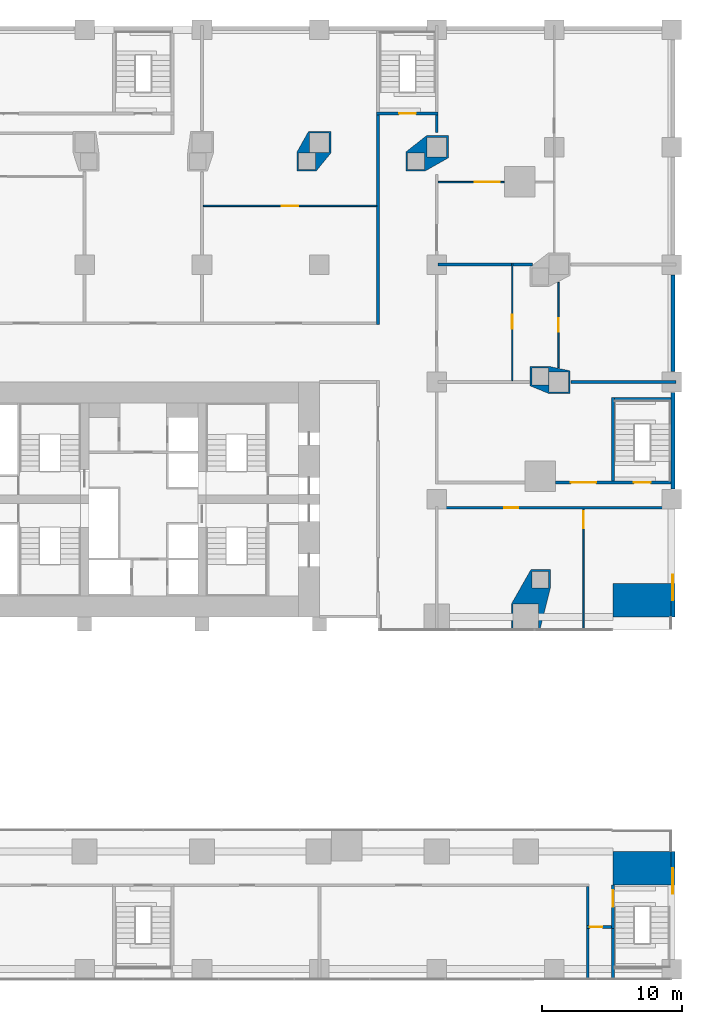
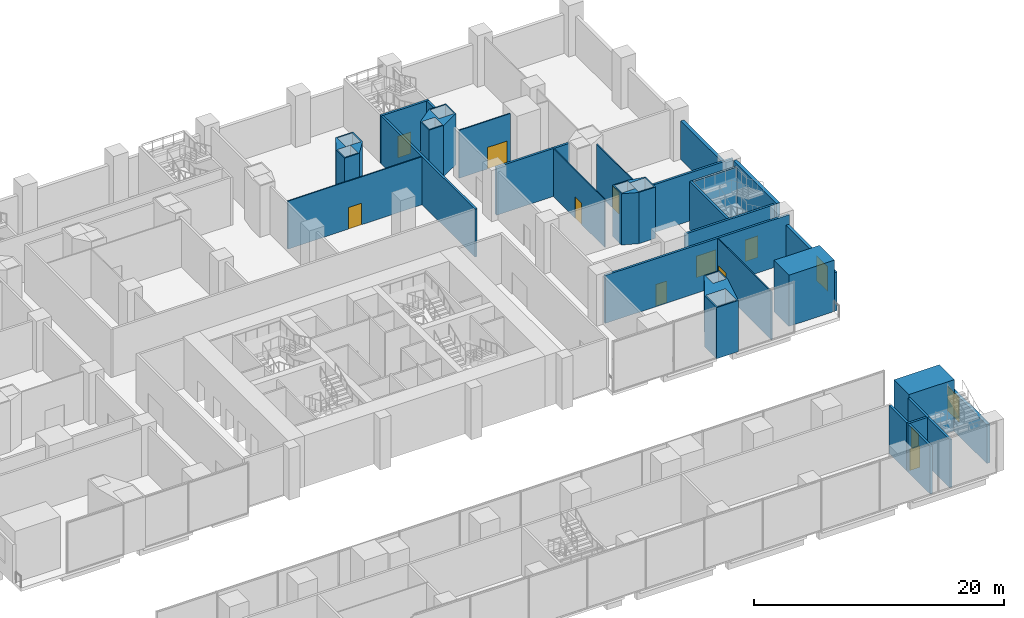
# One storey, part 15 of 24: 29 walls, 11 doors, 2 windows, 13 openings.
"""IFC4 building model written with IfcOpenShell, lengths in metres."""

from ifc_helpers import new_model, si_unit, direction, frame, frame_2d, origin, place, context, subcontext, project, spatial, polyline, rectangle, outline, extrude, material, layer, layer_set, type_object, element, fill, save


model = new_model("IFC4")

# Units and contexts
model_context = context("Model", 3, precision=1e-05, world=origin(), true_north=direction((0.0, 1.0)))
body_context = subcontext(model_context, "Body", "Model", "MODEL_VIEW")
ifc_project = project(units=[si_unit("LENGTHUNIT", "METRE"), si_unit("AREAUNIT", "SQUARE_METRE"), si_unit("VOLUMEUNIT", "CUBIC_METRE"), si_unit("PLANEANGLEUNIT", "RADIAN"), si_unit("MASSUNIT", "GRAM", prefix="KILO")], contexts=[model_context])

# Site, building, storey
site_placement = place(None, origin())
site = spatial("IfcSite", under=ifc_project, at=site_placement, CompositionType="ELEMENT")
building_placement = place(site_placement, origin())
building = spatial("IfcBuilding", under=site, at=building_placement, Name="Marenta Gate Hotel Tower", CompositionType="ELEMENT")
storey_placement = place(building_placement, frame((0.0, 0.0, 8.0)))
storey = spatial("IfcBuildingStorey", under=building, at=storey_placement, Name="L01", CompositionType="ELEMENT", Elevation=8.0)

# Wall, opening, window
ifc_material_1 = material(Name="Concrete C40 board-marked", Category="concrete")
ifc_layer_1 = layer(ifc_material_1, 0.300048828125)
ifc_layer_set_1 = layer_set([ifc_layer_1], Name="Concrete C40 board-marked")
wall_type_1 = type_object("IfcWallType", Name="Board-marked concrete wall 300 mm", PredefinedType="NOTDEFINED", material=ifc_layer_set_1)
wall_1_placement = place(storey_placement, frame((37.889892578125, -24.4599609375, 0.0), z_axis=(0.0, 0.0, 1.0), x_axis=(0.0, 1.0, 0.0)))
wall_1 = element("IfcWall", 1, at=wall_1_placement, inside=storey, type_object=wall_type_1, Name="L01-CLD-SB-E000", PredefinedType="NOTDEFINED", context=body_context, shape_type="SweptSolid", body=[
    extrude(rectangle(XDim=7.659912109375, YDim=0.300048828125, at=frame_2d((3.830078125, 0.0))), origin(), (0.0, 0.0, 1.0), 3.780029296875),
])
opening_1_placement = place(wall_1_placement, frame((4.659912109375, 0.0, 1.199951171875)))
opening_1 = element("IfcOpeningElement", 2, at=opening_1_placement, cuts=wall_1, Name="Opening W5", PredefinedType="OPENING", context=body_context, shape_type="SweptSolid", body=[
    extrude(rectangle(XDim=1.800048828125, YDim=2.39990234375, at=frame_2d((0.89990234375, 1.199951171875))), frame((0.0, 0.14990234375, 0.0), z_axis=(0.0, -1.0, 0.0), x_axis=(1.0, 0.0, 0.0)), (0.0, 0.0, 1.0), 0.300048828125),
])
ifc_material_2 = material(Name="Tinted insulated glass in bronze anodised frame", Category="glass")
window_type = type_object("IfcWindowType", Name="Window W5 1800x2400 bronze frame", PartitioningType="SINGLE_PANEL", PredefinedType="WINDOW", material=ifc_material_2)
window_1_placement = place(opening_1_placement, origin())
window_1 = element("IfcWindow", 3, at=window_1_placement, inside=storey, type_object=window_type, Name="Window W5", OverallHeight=2.39990234375, OverallWidth=1.800048828125, PartitioningType="SINGLE_PANEL", PredefinedType="WINDOW", context=body_context, shape_type="SweptSolid", body=[
    extrude(rectangle(XDim=1.800048828125, YDim=2.39990234375, at=frame_2d((0.89990234375, 1.199951171875))), frame((0.0, 0.030029296875, 0.0), z_axis=(0.0, -1.0, 0.0), x_axis=(1.0, 0.0, 0.0)), (0.0, 0.0, 1.0), 0.06005859375),
])
fill(opening_1, window_1)

wall_2_placement = place(storey_placement, frame((37.889892578125, 0.0, 0.0), z_axis=(0.0, 0.0, 1.0), x_axis=(0.0, 1.0, 0.0)))
wall_2 = element("IfcWall", 4, at=wall_2_placement, inside=storey, type_object=wall_type_1, Name="L01-CLD-NB-E000", PredefinedType="NOTDEFINED", context=body_context, shape_type="SweptSolid", body=[
    extrude(rectangle(XDim=7.659912109375, YDim=0.300048828125, at=frame_2d((3.830078125, 0.0))), origin(), (0.0, 0.0, 1.0), 3.780029296875),
])
opening_2_placement = place(wall_2_placement, frame((1.199951171875, 0.0, 1.199951171875)))
opening_2 = element("IfcOpeningElement", 5, at=opening_2_placement, cuts=wall_2, Name="Opening W5", PredefinedType="OPENING", context=body_context, shape_type="SweptSolid", body=[
    extrude(rectangle(XDim=1.800048828125, YDim=2.39990234375, at=frame_2d((0.89990234375, 1.199951171875))), frame((0.0, 0.14990234375, 0.0), z_axis=(0.0, -1.0, 0.0), x_axis=(1.0, 0.0, 0.0)), (0.0, 0.0, 1.0), 0.300048828125),
])
window_2_placement = place(opening_2_placement, origin())
window_2 = element("IfcWindow", 6, at=window_2_placement, inside=storey, type_object=window_type, Name="Window W5", OverallHeight=2.39990234375, OverallWidth=1.800048828125, PartitioningType="SINGLE_PANEL", PredefinedType="WINDOW", context=body_context, shape_type="SweptSolid", body=[
    extrude(rectangle(XDim=1.800048828125, YDim=2.39990234375, at=frame_2d((0.89990234375, 1.199951171875))), frame((0.0, 0.030029296875, 0.0), z_axis=(0.0, -1.0, 0.0), x_axis=(1.0, 0.0, 0.0)), (0.0, 0.0, 1.0), 0.06005859375),
])
fill(opening_2, window_2)

# Walls
wall_3_placement = place(storey_placement, frame((37.889892578125, 9.139892578125, 0.0), z_axis=(0.0, 0.0, 1.0), x_axis=(0.0, 1.0, 0.0)))
element("IfcWall", 7, at=wall_3_placement, inside=storey, type_object=wall_type_1, Name="L01-CLD-NB-E001", PredefinedType="NOTDEFINED", context=body_context, shape_type="SweptSolid", body=[
    extrude(rectangle(XDim=6.920166015625, YDim=0.300048828125, at=frame_2d((3.4599609375, 0.0))), origin(), (0.0, 0.0, 1.0), 5.0),
])
wall_4_placement = place(storey_placement, frame((37.889892578125, 17.5400390625, 0.0), z_axis=(0.0, 0.0, 1.0), x_axis=(0.0, 1.0, 0.0)))
element("IfcWall", 8, at=wall_4_placement, inside=storey, type_object=wall_type_1, Name="L01-CLD-NB-E002", PredefinedType="NOTDEFINED", context=body_context, shape_type="SweptSolid", body=[
    extrude(rectangle(XDim=6.919921875, YDim=0.300048828125, at=frame_2d((3.4599609375, 0.0))), origin(), (0.0, 0.0, 1.0), 3.780029296875),
])
ifc_material_3 = material(Name="Concrete C80", Category="concrete")
ifc_layer_2 = layer(ifc_material_3, 2.39990234375)
ifc_layer_set_2 = layer_set([ifc_layer_2], Name="Concrete C80")
wall_type_2 = type_object("IfcWallType", Name="Gate pier wall 2400 C80", PredefinedType="SOLIDWALL", material=ifc_layer_set_2)
for number, where, z_axis, x_axis, name in (
    (9, (33.60009765625, -18.0, 0.0), (0.0, 0.0, 1.0), (1.0, 0.0, 0.0), "PW1 L01-PWL-ES"),
    (10, (33.60009765625, 1.199951171875, 0.0), (0.0, 0.0, 1.0), (1.0, 0.0, 0.0), "PW1 L01-PWL-EN"),
):
    element("IfcWall", number, at=place(storey_placement, frame(where, z_axis=z_axis, x_axis=x_axis)), inside=storey, type_object=wall_type_2, Name=name, PredefinedType="SOLIDWALL", context=body_context, shape_type="SweptSolid", body=[
        extrude(rectangle(XDim=4.199951171875, YDim=2.39990234375, at=frame_2d((2.10009765625, 0.0))), origin(), (0.0, 0.0, 1.0), 5.0),
    ])
ifc_material_4 = material(Name="Concrete C70", Category="concrete")
ifc_layer_3 = layer(ifc_material_4, 1.60009765625)
ifc_layer_set_3 = layer_set([ifc_layer_3], Name="Concrete C70")
wall_type_3 = type_object("IfcWallType", Name="Pier wall board-marked concrete C70", PredefinedType="SOLIDWALL", material=ifc_layer_set_3)
wall_5_placement = place(storey_placement, origin())
element("IfcWall", 11, at=wall_5_placement, inside=storey, type_object=wall_type_3, Name="L01-PIER-8", PredefinedType="SOLIDWALL", context=body_context, shape_type="SweptSolid", body=[
    extrude(outline(polyline([(11.82958984375, 34.739990234375), (13.419921875, 34.739990234375), (13.419921875, 33.17724609375), (12.361083984375, 31.8798828125), (10.984130859375, 31.8798828125), (10.984130859375, 33.2314453125), (11.82958984375, 34.739990234375)]), holes=[polyline([(13.300048828125, 33.219970703125), (13.300048828125, 34.6201171875), (11.89990234375, 34.6201171875), (11.89990234375, 33.219970703125), (13.300048828125, 33.219970703125)]), polyline([(12.30419921875, 32.0), (12.30419921875, 33.199951171875), (11.10400390625, 33.199951171875), (11.10400390625, 32.0), (12.30419921875, 32.0)])]), origin(), (0.0, 0.0, 1.0), 5.0),
])
wall_6_placement = place(storey_placement, origin())
element("IfcWall", 12, at=wall_6_placement, inside=storey, type_object=wall_type_3, Name="L01-PIER-9", PredefinedType="SOLIDWALL", context=body_context, shape_type="SweptSolid", body=[
    extrude(outline(polyline([(20.25830078125, 34.419921875), (21.820068359375, 34.419921875), (21.820068359375, 32.830078125), (20.138427734375, 31.8798828125), (18.786865234375, 31.8798828125), (18.786865234375, 33.258056640625), (20.25830078125, 34.419921875)]), holes=[polyline([(21.699951171875, 32.89990234375), (21.699951171875, 34.300048828125), (20.300048828125, 34.300048828125), (20.300048828125, 32.89990234375), (21.699951171875, 32.89990234375)]), polyline([(20.10693359375, 32.0), (20.10693359375, 33.199951171875), (18.906982421875, 33.199951171875), (18.906982421875, 32.0), (20.10693359375, 32.0)])]), origin(), (0.0, 0.0, 1.0), 5.0),
])
wall_7_placement = place(storey_placement, origin())
element("IfcWall", 13, at=wall_7_placement, inside=storey, type_object=wall_type_3, Name="L01-PIER-11", PredefinedType="SOLIDWALL", context=body_context, shape_type="SweptSolid", body=[
    extrude(outline(polyline([(27.679931640625, 16.52294921875), (27.679931640625, 17.923095703125), (29.0126953125, 17.923095703125), (30.5400390625, 17.59716796875), (30.5400390625, 15.97998046875), (28.996337890625, 15.97998046875), (27.679931640625, 16.52294921875)]), holes=[polyline([(29.02001953125, 16.10009765625), (30.419921875, 16.10009765625), (30.419921875, 17.5), (29.02001953125, 17.5), (29.02001953125, 16.10009765625)]), polyline([(27.800048828125, 16.603271484375), (29.0, 16.603271484375), (29.0, 17.80322265625), (27.800048828125, 17.80322265625), (27.800048828125, 16.603271484375)])]), origin(), (0.0, 0.0, 1.0), 5.0),
])
wall_8_placement = place(storey_placement, origin())
element("IfcWall", 14, at=wall_8_placement, inside=storey, type_object=wall_type_3, Name="L01-PIER-12", PredefinedType="SOLIDWALL", context=body_context, shape_type="SweptSolid", body=[
    extrude(outline(polyline([(26.343017578125, 0.931640625), (27.730224609375, 3.369140625), (29.1201171875, 3.369140625), (29.1201171875, 2.034423828125), (28.356689453125, -1.02001953125), (26.343017578125, -1.02001953125), (26.343017578125, 0.931640625)]), holes=[polyline([(27.800048828125, 2.049072265625), (29.0, 2.049072265625), (29.0, 3.2490234375), (27.800048828125, 3.2490234375), (27.800048828125, 2.049072265625)]), polyline([(26.462890625, -0.89990234375), (28.262939453125, -0.89990234375), (28.262939453125, 0.89990234375), (26.462890625, 0.89990234375), (26.462890625, -0.89990234375)])]), origin(), (0.0, 0.0, 1.0), 5.0),
])
ifc_material_5 = material(Name="Concrete blockwork", Category="masonry")
ifc_layer_4 = layer(ifc_material_5, 0.199951171875)
ifc_layer_set_4 = layer_set([ifc_layer_4], Name="Concrete blockwork")
wall_type_4 = type_object("IfcWallType", Name="Room corridor wall 200 EI 120", PredefinedType="PARTITIONING", material=ifc_layer_set_4)
wall_9_placement = place(storey_placement, frame((16.800048828125, 20.89990234375, 0.0), z_axis=(0.0, 0.0, 1.0), x_axis=(0.0, 1.0, 0.0)))
element("IfcWall", 15, at=wall_9_placement, inside=storey, type_object=wall_type_4, Name="L01-PTN-W020", PredefinedType="PARTITIONING", context=body_context, shape_type="SweptSolid", body=[
    extrude(rectangle(XDim=15.0, YDim=0.199951171875, at=frame_2d((7.5, 0.0))), origin(), (0.0, 0.0, 1.0), 4.679931640625),
])
ifc_material_6 = material(Name="Gypsum board on steel stud", Category="steel")
ifc_layer_5 = layer(ifc_material_6, 0.199951171875)
ifc_layer_set_5 = layer_set([ifc_layer_5], Name="Gypsum board on steel stud")
wall_type_5 = type_object("IfcWallType", Name="Room corridor wall 200 EI 60", PredefinedType="PARTITIONING", material=ifc_layer_set_5)
wall_10_placement = place(storey_placement, frame((21.0, 34.66796875, 0.0), z_axis=(0.0, 0.0, 1.0), x_axis=(0.0, 1.0, 0.0)))
element("IfcWall", 16, at=wall_10_placement, inside=storey, type_object=wall_type_5, Name="L01-PTN-W015", PredefinedType="PARTITIONING", context=body_context, shape_type="SweptSolid", body=[
    extrude(rectangle(XDim=1.23193359375, YDim=0.199951171875, at=frame_2d((0.615966796875, 0.0))), origin(), (0.0, 0.0, 1.0), 4.679931640625),
])

# Wall, opening, door
ifc_material_7 = material(Name="Concrete blockwork", Category="masonry")
ifc_layer_6 = layer(ifc_material_7, 0.199951171875)
ifc_layer_set_6 = layer_set([ifc_layer_6], Name="Concrete blockwork")
wall_type_6 = type_object("IfcWallType", Name="Room corridor wall 200 REI 180", PredefinedType="PARTITIONING", material=ifc_layer_set_6)
wall_11_placement = place(storey_placement, frame((33.60009765625, -22.300048828125, 0.0), z_axis=(0.0, 0.0, 1.0), x_axis=(0.0, 1.0, 0.0)))
wall_11 = element("IfcWall", 17, at=wall_11_placement, inside=storey, type_object=wall_type_6, Name="L01-PTN-W003", PredefinedType="PARTITIONING", context=body_context, shape_type="SweptSolid", body=[
    extrude(rectangle(XDim=3.10009765625, YDim=0.199951171875, at=frame_2d((1.550048828125, 0.0))), origin(), (0.0, 0.0, 1.0), 4.679931640625),
])
opening_3_placement = place(wall_11_placement, frame((1.550048828125, 0.0, 0.0)))
opening_3 = element("IfcOpeningElement", 18, at=opening_3_placement, cuts=wall_11, Name="Opening S02-27", PredefinedType="OPENING", context=body_context, shape_type="SweptSolid", body=[
    extrude(rectangle(XDim=1.199951171875, YDim=2.10009765625, at=frame_2d((0.60009765625, 1.050048828125))), frame((0.0, 0.10009765625, 0.0), z_axis=(0.0, -1.0, 0.0), x_axis=(1.0, 0.0, 0.0)), (0.0, 0.0, 1.0), 0.199951171875),
])
ifc_material_8 = material(Name="Hollow steel door set", Category="steel")
door_type_1 = type_object("IfcDoorType", Name="Podium stair door 1200x2100 EI 60", OperationType="NOTDEFINED", PredefinedType="DOOR", material=ifc_material_8)
door_1_placement = place(opening_3_placement, origin())
door_1 = element("IfcDoor", 19, at=door_1_placement, inside=storey, type_object=door_type_1, Name="L01-PD-D027", OperationType="SINGLE_SWING_LEFT", OverallHeight=2.10009765625, OverallWidth=1.199951171875, PredefinedType="DOOR", context=body_context, shape_type="SweptSolid", body=[
    extrude(rectangle(XDim=1.199951171875, YDim=2.10009765625, at=frame_2d((0.60009765625, 1.050048828125))), frame((0.0, 0.02490234375, 0.0), z_axis=(0.0, -1.0, 0.0), x_axis=(1.0, 0.0, 0.0)), (0.0, 0.0, 1.0), 0.050048828125),
])
fill(opening_3, door_1)

# Wall
wall_12_placement = place(storey_placement, frame((31.800048828125, -22.10009765625, 0.0), z_axis=(0.0, 0.0, 1.0), x_axis=(0.0, 1.0, 0.0)))
element("IfcWall", 20, at=wall_12_placement, inside=storey, type_object=wall_type_6, Name="L01-PTN-W005", PredefinedType="PARTITIONING", context=body_context, shape_type="SweptSolid", body=[
    extrude(rectangle(XDim=2.800048828125, YDim=0.199951171875, at=frame_2d((1.39990234375, 0.0))), origin(), (0.0, 0.0, 1.0), 4.679931640625),
])

# Wall, opening, door
wall_13_placement = place(storey_placement, frame((31.699951171875, -22.199951171875, 0.0), z_axis=(0.0, 0.0, 1.0), x_axis=(1.0, 0.0, 0.0)))
wall_13 = element("IfcWall", 21, at=wall_13_placement, inside=storey, type_object=wall_type_6, Name="L01-PTN-W011", PredefinedType="PARTITIONING", context=body_context, shape_type="SweptSolid", body=[
    extrude(rectangle(XDim=1.800048828125, YDim=0.199951171875, at=frame_2d((0.89990234375, 0.0))), origin(), (0.0, 0.0, 1.0), 4.679931640625),
])
opening_4_placement = place(wall_13_placement, frame((0.25, 0.0, 0.0)))
opening_4 = element("IfcOpeningElement", 22, at=opening_4_placement, cuts=wall_13, Name="Opening S02-28", PredefinedType="OPENING", context=body_context, shape_type="SweptSolid", body=[
    extrude(rectangle(XDim=0.89990234375, YDim=2.10009765625, at=frame_2d((0.449951171875, 1.050048828125))), frame((0.0, 0.10009765625, 0.0), z_axis=(0.0, -1.0, 0.0), x_axis=(1.0, 0.0, 0.0)), (0.0, 0.0, 1.0), 0.199951171875),
])
ifc_material_9 = material(Name="Hollow steel door set", Category="steel")
door_type_2 = type_object("IfcDoorType", Name="Room service door 900x2100 EI 60", OperationType="NOTDEFINED", PredefinedType="DOOR", material=ifc_material_9)
door_2_placement = place(opening_4_placement, origin())
door_2 = element("IfcDoor", 23, at=door_2_placement, inside=storey, type_object=door_type_2, Name="L01-PD-D028", OperationType="SINGLE_SWING_RIGHT", OverallHeight=2.10009765625, OverallWidth=0.89990234375, PredefinedType="DOOR", context=body_context, shape_type="SweptSolid", body=[
    extrude(rectangle(XDim=0.89990234375, YDim=2.10009765625, at=frame_2d((0.449951171875, 1.050048828125))), frame((0.0, 0.02490234375, 0.0), z_axis=(0.0, -1.0, 0.0), x_axis=(1.0, 0.0, 0.0)), (0.0, 0.0, 1.0), 0.050048828125),
])
fill(opening_4, door_2)

wall_14_placement = place(storey_placement, frame((21.10009765625, 7.800048828125, 0.0), z_axis=(0.0, 0.0, 1.0), x_axis=(1.0, 0.0, 0.0)))
wall_14 = element("IfcWall", 24, at=wall_14_placement, inside=storey, type_object=wall_type_6, Name="L01-PTN-W032", PredefinedType="PARTITIONING", context=body_context, shape_type="SweptSolid", body=[
    extrude(rectangle(XDim=17.0, YDim=0.199951171875, at=frame_2d((8.5, 0.0))), origin(), (0.0, 0.0, 1.0), 4.679931640625),
])
opening_5_placement = place(wall_14_placement, frame((4.72509765625, 0.0, 0.0)))
opening_5 = element("IfcOpeningElement", 25, at=opening_5_placement, cuts=wall_14, Name="Opening S02-09", PredefinedType="OPENING", context=body_context, shape_type="SweptSolid", body=[
    extrude(rectangle(XDim=1.0, YDim=2.10009765625, at=frame_2d((0.5, 1.050048828125))), frame((0.0, 0.10009765625, 0.0), z_axis=(0.0, -1.0, 0.0), x_axis=(1.0, 0.0, 0.0)), (0.0, 0.0, 1.0), 0.199951171875),
])
ifc_material_10 = material(Name="Timber door leaf", Category="wood")
door_type_3 = type_object("IfcDoorType", Name="Room amenity door 1000x2100 EI 60", OperationType="NOTDEFINED", PredefinedType="DOOR", material=ifc_material_10)
door_3_placement = place(opening_5_placement, origin())
door_3 = element("IfcDoor", 26, at=door_3_placement, inside=storey, type_object=door_type_3, Name="L01-PD-D009", OperationType="SINGLE_SWING_RIGHT", OverallHeight=2.10009765625, OverallWidth=1.0, PredefinedType="DOOR", context=body_context, shape_type="SweptSolid", body=[
    extrude(rectangle(XDim=1.0, YDim=2.10009765625, at=frame_2d((0.5, 1.050048828125))), frame((0.0, 0.02490234375, 0.0), z_axis=(0.0, -1.0, 0.0), x_axis=(1.0, 0.0, 0.0)), (0.0, 0.0, 1.0), 0.050048828125),
])
fill(opening_5, door_3)

# Wall, openings, doors
wall_15_placement = place(storey_placement, frame((29.5, 9.60009765625, 0.0), z_axis=(0.0, 0.0, 1.0), x_axis=(1.0, 0.0, 0.0)))
wall_15 = element("IfcWall", 27, at=wall_15_placement, inside=storey, type_object=wall_type_6, Name="L01-PTN-W036", PredefinedType="PARTITIONING", context=body_context, shape_type="SweptSolid", body=[
    extrude(rectangle(XDim=8.239990234375, YDim=0.199951171875, at=frame_2d((4.1201171875, 0.0))), origin(), (0.0, 0.0, 1.0), 4.679931640625),
])
opening_6_placement = place(wall_15_placement, frame((1.10009765625, 0.0, 0.0)))
opening_6 = element("IfcOpeningElement", 28, at=opening_6_placement, cuts=wall_15, Name="Opening S02-10", PredefinedType="OPENING", context=body_context, shape_type="SweptSolid", body=[
    extrude(rectangle(XDim=1.800048828125, YDim=2.10009765625, at=frame_2d((0.89990234375, 1.050048828125))), frame((0.0, 0.10009765625, 0.0), z_axis=(0.0, -1.0, 0.0), x_axis=(1.0, 0.0, 0.0)), (0.0, 0.0, 1.0), 0.199951171875),
])
opening_7_placement = place(wall_15_placement, frame((5.60009765625, 0.0, 0.0)))
opening_7 = element("IfcOpeningElement", 29, at=opening_7_placement, cuts=wall_15, Name="Opening S02-37", PredefinedType="OPENING", context=body_context, shape_type="SweptSolid", body=[
    extrude(rectangle(XDim=1.199951171875, YDim=2.10009765625, at=frame_2d((0.60009765625, 1.050048828125))), frame((0.0, 0.10009765625, 0.0), z_axis=(0.0, -1.0, 0.0), x_axis=(1.0, 0.0, 0.0)), (0.0, 0.0, 1.0), 0.199951171875),
])
door_4_placement = place(opening_7_placement, origin())
door_4 = element("IfcDoor", 30, at=door_4_placement, inside=storey, type_object=door_type_1, Name="L01-PD-D037", OperationType="SINGLE_SWING_LEFT", OverallHeight=2.10009765625, OverallWidth=1.199951171875, PredefinedType="DOOR", context=body_context, shape_type="SweptSolid", body=[
    extrude(rectangle(XDim=1.199951171875, YDim=2.10009765625, at=frame_2d((0.60009765625, 1.050048828125))), frame((0.0, 0.02490234375, 0.0), z_axis=(0.0, -1.0, 0.0), x_axis=(1.0, 0.0, 0.0)), (0.0, 0.0, 1.0), 0.050048828125),
])
fill(opening_7, door_4)
ifc_material_11 = material(Name="Timber door leaf", Category="wood")
door_type_4 = type_object("IfcDoorType", Name="Room amenity door 1800x2100 EI 60", OperationType="DOUBLE_DOOR_SINGLE_SWING", PredefinedType="DOOR", material=ifc_material_11)
door_5_placement = place(opening_6_placement, origin())
door_5 = element("IfcDoor", 31, at=door_5_placement, inside=storey, type_object=door_type_4, Name="L01-PD-D010", OperationType="DOUBLE_DOOR_SINGLE_SWING", OverallHeight=2.10009765625, OverallWidth=1.800048828125, PredefinedType="DOOR", context=body_context, shape_type="SweptSolid", body=[
    extrude(rectangle(XDim=1.800048828125, YDim=2.10009765625, at=frame_2d((0.89990234375, 1.050048828125))), frame((0.0, 0.02490234375, 0.0), z_axis=(0.0, -1.0, 0.0), x_axis=(1.0, 0.0, 0.0)), (0.0, 0.0, 1.0), 0.050048828125),
])
fill(opening_6, door_5)

# Wall, opening, door
wall_16_placement = place(storey_placement, frame((16.699951171875, 36.0, 0.0), z_axis=(0.0, 0.0, 1.0), x_axis=(1.0, 0.0, 0.0)))
wall_16 = element("IfcWall", 32, at=wall_16_placement, inside=storey, type_object=wall_type_6, Name="L01-PTN-W075", PredefinedType="PARTITIONING", context=body_context, shape_type="SweptSolid", body=[
    extrude(rectangle(XDim=4.400146484375, YDim=0.199951171875, at=frame_2d((2.2001953125, 0.0))), origin(), (0.0, 0.0, 1.0), 4.679931640625),
])
opening_8_placement = place(wall_16_placement, frame((1.60009765625, 0.0, 0.0)))
opening_8 = element("IfcOpeningElement", 33, at=opening_8_placement, cuts=wall_16, Name="Opening S02-02", PredefinedType="OPENING", context=body_context, shape_type="SweptSolid", body=[
    extrude(rectangle(XDim=1.199951171875, YDim=2.10009765625, at=frame_2d((0.60009765625, 1.050048828125))), frame((0.0, 0.10009765625, 0.0), z_axis=(0.0, -1.0, 0.0), x_axis=(1.0, 0.0, 0.0)), (0.0, 0.0, 1.0), 0.199951171875),
])
door_6_placement = place(opening_8_placement, origin())
door_6 = element("IfcDoor", 34, at=door_6_placement, inside=storey, type_object=door_type_1, Name="L01-PD-D002", OperationType="SINGLE_SWING_LEFT", OverallHeight=2.10009765625, OverallWidth=1.199951171875, PredefinedType="DOOR", context=body_context, shape_type="SweptSolid", body=[
    extrude(rectangle(XDim=1.199951171875, YDim=2.10009765625, at=frame_2d((0.60009765625, 1.050048828125))), frame((0.0, 0.02490234375, 0.0), z_axis=(0.0, -1.0, 0.0), x_axis=(1.0, 0.0, 0.0)), (0.0, 0.0, 1.0), 0.050048828125),
])
fill(opening_8, door_6)

ifc_material_12 = material(Name="Gypsum board on steel stud", Category="steel")
ifc_layer_7 = layer(ifc_material_12, 0.10009765625)
ifc_layer_set_7 = layer_set([ifc_layer_7], Name="Gypsum board on steel stud")
wall_type_7 = type_object("IfcWallType", Name="Room partition 100", PredefinedType="PARTITIONING", material=ifc_layer_set_7)
wall_17_placement = place(storey_placement, frame((31.5, -0.89404296875, 0.0), z_axis=(0.0, 0.0, 1.0), x_axis=(0.0, 1.0, 0.0)))
wall_17 = element("IfcWall", 35, at=wall_17_placement, inside=storey, type_object=wall_type_7, Name="L01-PTN-W006", PredefinedType="PARTITIONING", context=body_context, shape_type="SweptSolid", body=[
    extrude(rectangle(XDim=8.593994140625, YDim=0.10009765625, at=frame_2d((4.296875, 0.0))), origin(), (0.0, 0.0, 1.0), 4.679931640625),
])
opening_9_placement = place(wall_17_placement, frame((7.243896484375, 0.0, 0.0)))
opening_9 = element("IfcOpeningElement", 36, at=opening_9_placement, cuts=wall_17, Name="Opening S02-11", PredefinedType="OPENING", context=body_context, shape_type="SweptSolid", body=[
    extrude(rectangle(XDim=1.199951171875, YDim=2.10009765625, at=frame_2d((0.60009765625, 1.050048828125))), frame((0.0, 0.050048828125, 0.0), z_axis=(0.0, -1.0, 0.0), x_axis=(1.0, 0.0, 0.0)), (0.0, 0.0, 1.0), 0.10009765625),
])
ifc_material_13 = material(Name="Hollow steel door set", Category="steel")
door_type_5 = type_object("IfcDoorType", Name="Kitchen room door 1200x2100", OperationType="NOTDEFINED", PredefinedType="DOOR", material=ifc_material_13)
door_7_placement = place(opening_9_placement, origin())
door_7 = element("IfcDoor", 37, at=door_7_placement, inside=storey, type_object=door_type_5, Name="L01-PD-D011", OperationType="SINGLE_SWING_LEFT", OverallHeight=2.10009765625, OverallWidth=1.199951171875, PredefinedType="DOOR", context=body_context, shape_type="SweptSolid", body=[
    extrude(rectangle(XDim=1.199951171875, YDim=2.10009765625, at=frame_2d((0.60009765625, 1.050048828125))), frame((0.0, 0.02490234375, 0.0), z_axis=(0.0, -1.0, 0.0), x_axis=(1.0, 0.0, 0.0)), (0.0, 0.0, 1.0), 0.050048828125),
])
fill(opening_9, door_7)

wall_18_placement = place(storey_placement, frame((29.699951171875, 17.827880859375, 0.0), z_axis=(0.0, 0.0, 1.0), x_axis=(0.0, 1.0, 0.0)))
wall_18 = element("IfcWall", 38, at=wall_18_placement, inside=storey, type_object=wall_type_7, Name="L01-PTN-W007", PredefinedType="PARTITIONING", context=body_context, shape_type="SweptSolid", body=[
    extrude(rectangle(XDim=6.10302734375, YDim=0.10009765625, at=frame_2d((3.051513671875, 0.0))), origin(), (0.0, 0.0, 1.0), 4.679931640625),
])
opening_10_placement = place(wall_18_placement, frame((2.551025390625, 0.0, 0.0)))
opening_10 = element("IfcOpeningElement", 39, at=opening_10_placement, cuts=wall_18, Name="Opening S02-14", PredefinedType="OPENING", context=body_context, shape_type="SweptSolid", body=[
    extrude(rectangle(XDim=1.0, YDim=2.10009765625, at=frame_2d((0.5, 1.050048828125))), frame((0.0, 0.050048828125, 0.0), z_axis=(0.0, -1.0, 0.0), x_axis=(1.0, 0.0, 0.0)), (0.0, 0.0, 1.0), 0.10009765625),
])
ifc_material_14 = material(Name="Hollow steel door set", Category="steel")
door_type_6 = type_object("IfcDoorType", Name="Room service door 1000x2100", OperationType="NOTDEFINED", PredefinedType="DOOR", material=ifc_material_14)
door_8_placement = place(opening_10_placement, origin())
door_8 = element("IfcDoor", 40, at=door_8_placement, inside=storey, type_object=door_type_6, Name="L01-PD-D014", OperationType="SINGLE_SWING_LEFT", OverallHeight=2.10009765625, OverallWidth=1.0, PredefinedType="DOOR", context=body_context, shape_type="SweptSolid", body=[
    extrude(rectangle(XDim=1.0, YDim=2.10009765625, at=frame_2d((0.5, 1.050048828125))), frame((0.0, 0.02490234375, 0.0), z_axis=(0.0, -1.0, 0.0), x_axis=(1.0, 0.0, 0.0)), (0.0, 0.0, 1.0), 0.050048828125),
])
fill(opening_10, door_8)

wall_19_placement = place(storey_placement, frame((26.39990234375, 16.89990234375, 0.0), z_axis=(0.0, 0.0, 1.0), x_axis=(0.0, 1.0, 0.0)))
wall_19 = element("IfcWall", 41, at=wall_19_placement, inside=storey, type_object=wall_type_7, Name="L01-PTN-W009", PredefinedType="PARTITIONING", context=body_context, shape_type="SweptSolid", body=[
    extrude(rectangle(XDim=8.400146484375, YDim=0.10009765625, at=frame_2d((4.2001953125, 0.0))), origin(), (0.0, 0.0, 1.0), 4.679931640625),
])
opening_11_placement = place(wall_19_placement, frame((3.699951171875, 0.0, 0.0)))
opening_11 = element("IfcOpeningElement", 42, at=opening_11_placement, cuts=wall_19, Name="Opening S02-13", PredefinedType="OPENING", context=body_context, shape_type="SweptSolid", body=[
    extrude(rectangle(XDim=1.0, YDim=2.10009765625, at=frame_2d((0.5, 1.050048828125))), frame((0.0, 0.050048828125, 0.0), z_axis=(0.0, -1.0, 0.0), x_axis=(1.0, 0.0, 0.0)), (0.0, 0.0, 1.0), 0.10009765625),
])
ifc_material_15 = material(Name="Timber door leaf", Category="wood")
door_type_7 = type_object("IfcDoorType", Name="Room inner door 1000x2100", OperationType="NOTDEFINED", PredefinedType="DOOR", material=ifc_material_15)
door_9_placement = place(opening_11_placement, origin())
door_9 = element("IfcDoor", 43, at=door_9_placement, inside=storey, type_object=door_type_7, Name="L01-PD-D013", OperationType="SINGLE_SWING_LEFT", OverallHeight=2.10009765625, OverallWidth=1.0, PredefinedType="DOOR", context=body_context, shape_type="SweptSolid", body=[
    extrude(rectangle(XDim=1.0, YDim=2.10009765625, at=frame_2d((0.5, 1.050048828125))), frame((0.0, 0.02490234375, 0.0), z_axis=(0.0, -1.0, 0.0), x_axis=(1.0, 0.0, 0.0)), (0.0, 0.0, 1.0), 0.050048828125),
])
fill(opening_11, door_9)

wall_20_placement = place(storey_placement, frame((4.300048828125, 29.39990234375, 0.0), z_axis=(0.0, 0.0, 1.0), x_axis=(1.0, 0.0, 0.0)))
wall_20 = element("IfcWall", 44, at=wall_20_placement, inside=storey, type_object=wall_type_7, Name="L01-PTN-W059", PredefinedType="PARTITIONING", context=body_context, shape_type="SweptSolid", body=[
    extrude(rectangle(XDim=12.39990234375, YDim=0.10009765625, at=frame_2d((6.199951171875, 0.0))), origin(), (0.0, 0.0, 1.0), 4.679931640625),
])
opening_12_placement = place(wall_20_placement, frame((5.60009765625, 0.0, 0.0)))
opening_12 = element("IfcOpeningElement", 45, at=opening_12_placement, cuts=wall_20, Name="Opening S02-24", PredefinedType="OPENING", context=body_context, shape_type="SweptSolid", body=[
    extrude(rectangle(XDim=1.199951171875, YDim=2.10009765625, at=frame_2d((0.60009765625, 1.050048828125))), frame((0.0, 0.050048828125, 0.0), z_axis=(0.0, -1.0, 0.0), x_axis=(1.0, 0.0, 0.0)), (0.0, 0.0, 1.0), 0.10009765625),
])
door_10_placement = place(opening_12_placement, origin())
door_10 = element("IfcDoor", 46, at=door_10_placement, inside=storey, type_object=door_type_5, Name="L01-PD-D024", OperationType="SINGLE_SWING_RIGHT", OverallHeight=2.10009765625, OverallWidth=1.199951171875, PredefinedType="DOOR", context=body_context, shape_type="SweptSolid", body=[
    extrude(rectangle(XDim=1.199951171875, YDim=2.10009765625, at=frame_2d((0.60009765625, 1.050048828125))), frame((0.0, 0.02490234375, 0.0), z_axis=(0.0, -1.0, 0.0), x_axis=(1.0, 0.0, 0.0)), (0.0, 0.0, 1.0), 0.050048828125),
])
fill(opening_12, door_10)

wall_21_placement = place(storey_placement, frame((21.10009765625, 31.10009765625, 0.0), z_axis=(0.0, 0.0, 1.0), x_axis=(1.0, 0.0, 0.0)))
wall_21 = element("IfcWall", 47, at=wall_21_placement, inside=storey, type_object=wall_type_7, Name="L01-PTN-W062", PredefinedType="PARTITIONING", context=body_context, shape_type="SweptSolid", body=[
    extrude(rectangle(XDim=4.7158203125, YDim=0.10009765625, at=frame_2d((2.35791015625, 0.0))), origin(), (0.0, 0.0, 1.0), 4.679931640625),
])
opening_13_placement = place(wall_21_placement, frame((2.60791015625, 0.0, 0.0)))
opening_13 = element("IfcOpeningElement", 48, at=opening_13_placement, cuts=wall_21, Name="Opening S02-41", PredefinedType="OPENING", context=body_context, shape_type="SweptSolid", body=[
    extrude(rectangle(XDim=1.800048828125, YDim=2.10009765625, at=frame_2d((0.89990234375, 1.050048828125))), frame((0.0, 0.050048828125, 0.0), z_axis=(0.0, -1.0, 0.0), x_axis=(1.0, 0.0, 0.0)), (0.0, 0.0, 1.0), 0.10009765625),
])
ifc_material_16 = material(Name="Timber door leaf", Category="wood")
door_type_8 = type_object("IfcDoorType", Name="Room amenity door 1800x2100", OperationType="DOUBLE_DOOR_SINGLE_SWING", PredefinedType="DOOR", material=ifc_material_16)
door_11_placement = place(opening_13_placement, origin())
door_11 = element("IfcDoor", 49, at=door_11_placement, inside=storey, type_object=door_type_8, Name="L01-PD-D041", OperationType="DOUBLE_DOOR_SINGLE_SWING", OverallHeight=2.10009765625, OverallWidth=1.800048828125, PredefinedType="DOOR", context=body_context, shape_type="SweptSolid", body=[
    extrude(rectangle(XDim=1.800048828125, YDim=2.10009765625, at=frame_2d((0.89990234375, 1.050048828125))), frame((0.0, 0.02490234375, 0.0), z_axis=(0.0, -1.0, 0.0), x_axis=(1.0, 0.0, 0.0)), (0.0, 0.0, 1.0), 0.050048828125),
])
fill(opening_13, door_11)

# Walls
ifc_material_17 = material(Name="Concrete blockwork", Category="masonry")
ifc_layer_8 = layer(ifc_material_17, 0.199951171875)
ifc_layer_set_8 = layer_set([ifc_layer_8], Name="Concrete blockwork")
wall_type_8 = type_object("IfcWallType", Name="Room party wall 200 EI 120", PredefinedType="PARTITIONING", material=ifc_layer_set_8)
wall_22_placement = place(storey_placement, frame((31.800048828125, -25.888916015625, 0.0), z_axis=(0.0, 0.0, 1.0), x_axis=(0.0, 1.0, 0.0)))
element("IfcWall", 50, at=wall_22_placement, inside=storey, type_object=wall_type_8, Name="L01-PTN-W004", PredefinedType="PARTITIONING", context=body_context, shape_type="SweptSolid", body=[
    extrude(rectangle(XDim=3.5888671875, YDim=0.199951171875, at=frame_2d((1.79443359375, 0.0))), origin(), (0.0, 0.0, 1.0), 4.679931640625),
])
wall_23_placement = place(storey_placement, frame((30.590087890625, 16.800048828125, 0.0), z_axis=(0.0, 0.0, 1.0), x_axis=(1.0, 0.0, 0.0)))
element("IfcWall", 51, at=wall_23_placement, inside=storey, type_object=wall_type_8, Name="L01-PTN-W045", PredefinedType="PARTITIONING", context=body_context, shape_type="SweptSolid", body=[
    extrude(rectangle(XDim=7.510009765625, YDim=0.199951171875, at=frame_2d((3.7548828125, 0.0))), origin(), (0.0, 0.0, 1.0), 4.679931640625),
])
ifc_material_18 = material(Name="Gypsum board on steel stud", Category="steel")
ifc_layer_9 = layer(ifc_material_18, 0.199951171875)
ifc_layer_set_9 = layer_set([ifc_layer_9], Name="Gypsum board on steel stud")
wall_type_9 = type_object("IfcWallType", Name="Room party wall 200 EI 60", PredefinedType="PARTITIONING", material=ifc_layer_set_9)
wall_24_placement = place(storey_placement, frame((21.10009765625, 25.199951171875, 0.0), z_axis=(0.0, 0.0, 1.0), x_axis=(1.0, 0.0, 0.0)))
element("IfcWall", 52, at=wall_24_placement, inside=storey, type_object=wall_type_9, Name="L01-PTN-W056", PredefinedType="PARTITIONING", context=body_context, shape_type="SweptSolid", body=[
    extrude(rectangle(XDim=6.73681640625, YDim=0.199951171875, at=frame_2d((3.368408203125, 0.0))), origin(), (0.0, 0.0, 1.0), 4.679931640625),
])
ifc_material_19 = material(Name="Concrete blockwork", Category="masonry")
ifc_layer_10 = layer(ifc_material_19, 0.199951171875)
ifc_layer_set_10 = layer_set([ifc_layer_10], Name="Concrete blockwork")
wall_type_10 = type_object("IfcWallType", Name="Room party wall 200 REI 180", PredefinedType="PARTITIONING", material=ifc_layer_set_10)
wall_25_placement = place(storey_placement, frame((33.60009765625, -25.888916015625, 0.0), z_axis=(0.0, 0.0, 1.0), x_axis=(0.0, 1.0, 0.0)))
element("IfcWall", 53, at=wall_25_placement, inside=storey, type_object=wall_type_10, Name="L01-PTN-W001", PredefinedType="PARTITIONING", context=body_context, shape_type="SweptSolid", body=[
    extrude(rectangle(XDim=3.788818359375, YDim=0.199951171875, at=frame_2d((1.89453125, 0.0))), origin(), (0.0, 0.0, 1.0), 4.679931640625),
])
wall_26_placement = place(storey_placement, frame((33.60009765625, 9.699951171875, 0.0), z_axis=(0.0, 0.0, 1.0), x_axis=(0.0, 1.0, 0.0)))
element("IfcWall", 54, at=wall_26_placement, inside=storey, type_object=wall_type_10, Name="L01-PTN-W002", PredefinedType="PARTITIONING", context=body_context, shape_type="SweptSolid", body=[
    extrude(rectangle(XDim=6.0, YDim=0.199951171875, at=frame_2d((3.0, 0.0))), origin(), (0.0, 0.0, 1.0), 4.679931640625),
])
wall_27_placement = place(storey_placement, frame((33.699951171875, 15.60009765625, 0.0), z_axis=(0.0, 0.0, 1.0), x_axis=(1.0, 0.0, 0.0)))
element("IfcWall", 55, at=wall_27_placement, inside=storey, type_object=wall_type_10, Name="L01-PTN-W041", PredefinedType="PARTITIONING", context=body_context, shape_type="SweptSolid", body=[
    extrude(rectangle(XDim=4.0400390625, YDim=0.199951171875, at=frame_2d((2.02001953125, 0.0))), origin(), (0.0, 0.0, 1.0), 4.679931640625),
])

save(model, "model.ifc")
